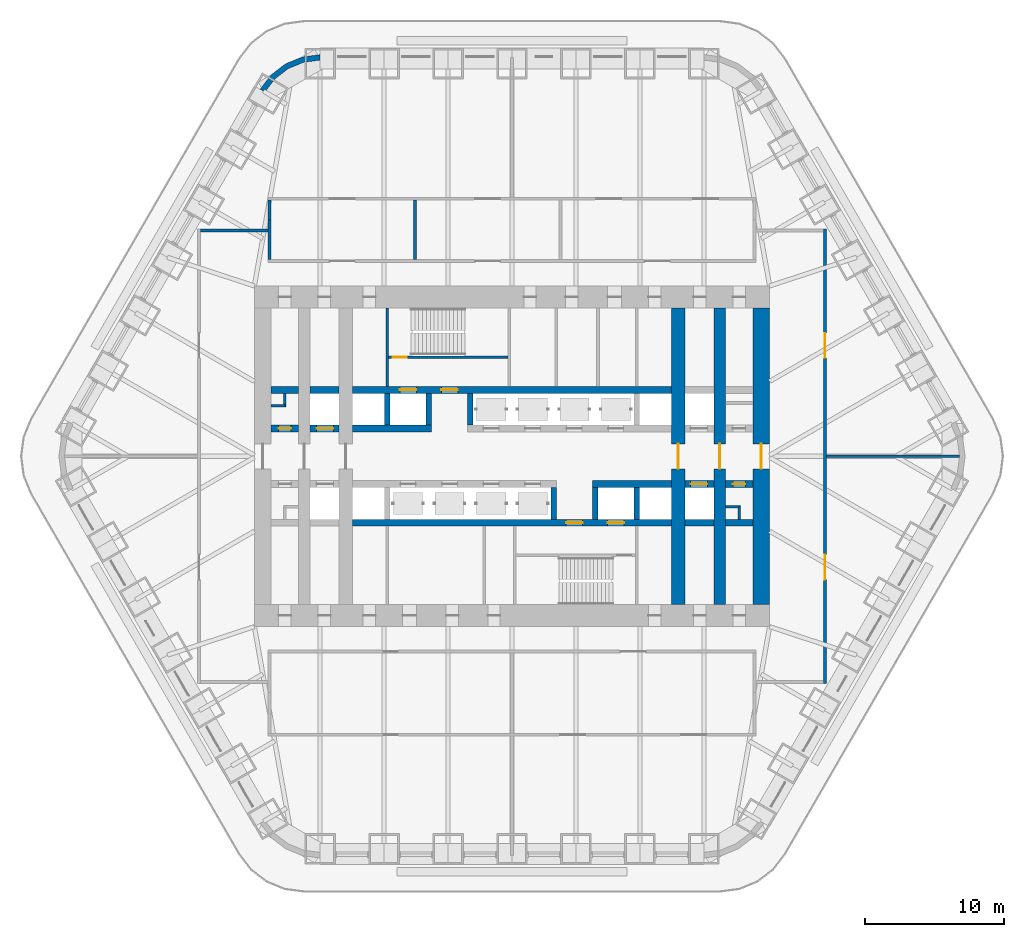
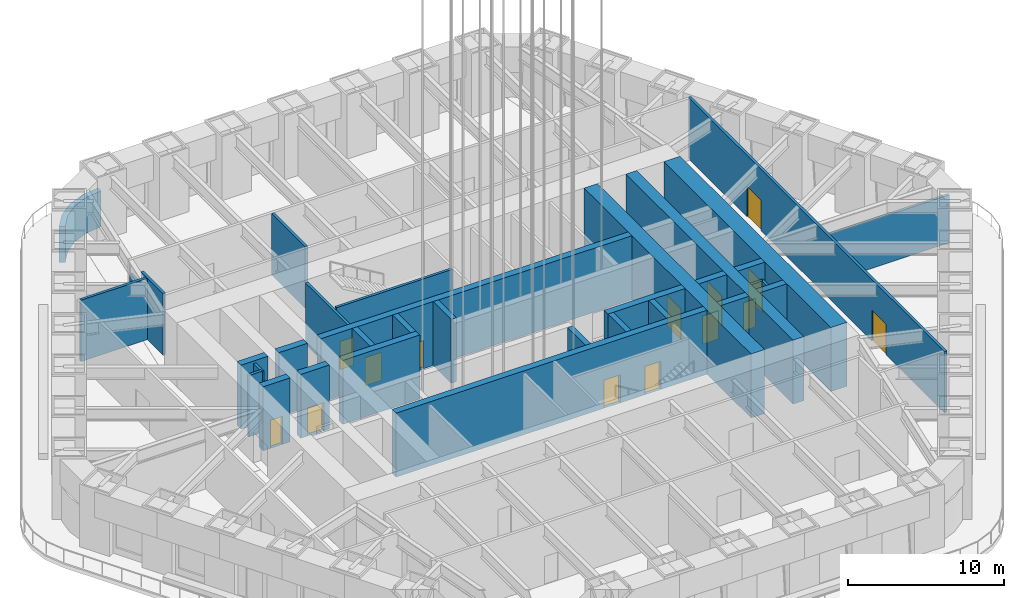
# One storey, part 9 of 15: 34 walls, 14 doors, 14 openings.
"""IFC4 building model written with IfcOpenShell, lengths in metres."""

from ifc_helpers import new_model, si_unit, direction, frame, frame_2d, origin, place, context, subcontext, project, spatial, polyline, rectangle, outline, extrude, material, layer, layer_set, type_object, element, fill, save


model = new_model("IFC4")

# Units and contexts
model_context = context("Model", 3, precision=1e-05, world=origin(), true_north=direction((0.0, 1.0)))
body_context = subcontext(model_context, "Body", "Model", "MODEL_VIEW")
ifc_project = project(units=[si_unit("LENGTHUNIT", "METRE"), si_unit("AREAUNIT", "SQUARE_METRE"), si_unit("VOLUMEUNIT", "CUBIC_METRE"), si_unit("PLANEANGLEUNIT", "RADIAN"), si_unit("MASSUNIT", "GRAM", prefix="KILO")], contexts=[model_context])

# Site, building, storey
site_placement = place(None, origin())
site = spatial("IfcSite", under=ifc_project, at=site_placement, CompositionType="ELEMENT")
building_placement = place(site_placement, origin())
building = spatial("IfcBuilding", under=site, at=building_placement, Name="Tarfa Lantern Tower", CompositionType="ELEMENT")
storey_placement = place(building_placement, frame((0.0, 0.0, 210.5)))
storey = spatial("IfcBuildingStorey", under=building, at=storey_placement, Name="L47", CompositionType="ELEMENT", Elevation=210.5)

# Walls
ifc_material_1 = material(Name="Limestone cladding on blockwork", Category="masonry")
ifc_layer_1 = layer(ifc_material_1, 0.39990234375)
ifc_layer_set_1 = layer_set([ifc_layer_1], Name="EW2 CURVED STONE CORNER 400")
wall_type_1 = type_object("IfcWallType", Name="EW2 CURVED STONE CORNER 400", PredefinedType="SOLIDWALL", material=ifc_layer_set_1)
wall_1_placement = place(storey_placement, origin())
element("IfcWall", 1, at=wall_1_placement, inside=storey, type_object=wall_type_1, Name="Stone corner N-NW", PredefinedType="SOLIDWALL", context=body_context, shape_type="SweptSolid", body=[
    extrude(outline(polyline([(-13.8564453125, 29.0), (-15.150390625, 28.82958984375), (-16.3564453125, 28.330078125), (-17.391845703125, 27.53564453125), (-18.1865234375, 26.5), (-17.840087890625, 26.300048828125), (-17.109130859375, 27.252685546875), (-16.156494140625, 27.983642578125), (-15.046875, 28.443359375), (-13.8564453125, 28.60009765625), (-13.8564453125, 29.0)])), origin(), (0.0, 0.0, 1.0), 2.800048828125),
])
ifc_material_2 = material(Name="Concrete blockwork", Category="masonry")
ifc_layer_2 = layer(ifc_material_2, 0.199951171875)
ifc_layer_set_2 = layer_set([ifc_layer_2], Name="IW1 BLOCKWORK PARTITION 200 EI 120")
wall_type_2 = type_object("IfcWallType", Name="IW1 BLOCKWORK PARTITION 200 EI 120", PredefinedType="PARTITIONING", material=ifc_layer_set_2)
wall_2_placement = place(storey_placement, frame((-9.0, 5.050048828125, 0.0), z_axis=(0.0, 0.0, 1.0), x_axis=(0.0, 1.0, 0.0)))
element("IfcWall", 2, at=wall_2_placement, inside=storey, type_object=wall_type_2, Name="Core partition", PredefinedType="PARTITIONING", context=body_context, shape_type="SweptSolid", body=[
    extrude(rectangle(XDim=5.64990234375, YDim=0.199951171875, at=frame_2d((2.824951171875, 0.0))), origin(), (0.0, 0.0, 1.0), 4.800048828125),
])
for number, where, z_axis, x_axis, name in (
    (3, (-17.39990234375, 3.64990234375, 0.0), (0.0, 0.0, 1.0), (1.0, 0.0, 0.0), "Core partition"),
    (4, (-16.39990234375, 3.550048828125, 0.0), (0.0, 0.0, 1.0), (0.0, 1.0, 0.0), "Core partition"),
    (5, (16.39990234375, -3.64990234375, 0.0), (0.0, 0.0, 1.0), (-1.0, 0.0, 0.0), "Core partition"),
    (6, (16.39990234375, -3.550048828125, 0.0), (0.0, 0.0, 1.0), (0.0, -1.0, 0.0), "Core partition"),
):
    element("IfcWall", number, at=place(storey_placement, frame(where, z_axis=z_axis, x_axis=x_axis)), inside=storey, type_object=wall_type_2, Name=name, PredefinedType="PARTITIONING", context=body_context, shape_type="SweptSolid", body=[
        extrude(rectangle(XDim=1.0, YDim=0.199951171875, at=frame_2d((0.5, 0.0))), origin(), (0.0, 0.0, 1.0), 4.800048828125),
    ])
ifc_material_3 = material(Name="Gypsum board on steel studs", Category="steel")
ifc_layer_3 = layer(ifc_material_3, 0.2099609375)
ifc_layer_set_3 = layer_set([ifc_layer_3], Name="IW2 ACOUSTIC PARTITION 200")
wall_type_3 = type_object("IfcWallType", Name="IW2 ACOUSTIC PARTITION 200", PredefinedType="PARTITIONING", material=ifc_layer_set_3)
wall_3_placement = place(storey_placement, frame((-17.5, 14.199951171875, 0.0), z_axis=(0.0, 0.0, 1.0), x_axis=(0.0, 1.0, 0.0)))
element("IfcWall", 7, at=wall_3_placement, inside=storey, type_object=wall_type_3, Name="Partition", PredefinedType="PARTITIONING", context=body_context, shape_type="SweptSolid", body=[
    extrude(rectangle(XDim=2.84423828125, YDim=0.199951171875, at=frame_2d((1.422119140625, 0.0))), origin(), (0.0, 0.0, 1.0), 4.800048828125),
])
wall_4_placement = place(storey_placement, frame((-17.5, 17.044189453125, 0.0), z_axis=(0.0, 0.0, 1.0), x_axis=(0.0, 1.0, 0.0)))
element("IfcWall", 8, at=wall_4_placement, inside=storey, type_object=wall_type_3, Name="Partition", PredefinedType="PARTITIONING", context=body_context, shape_type="SweptSolid", body=[
    extrude(rectangle(XDim=1.455810546875, YDim=0.199951171875, at=frame_2d((0.72802734375, 0.0))), origin(), (0.0, 0.0, 1.0), 3.743896484375),
])
wall_5_placement = place(storey_placement, frame((-7.0, 14.199951171875, 0.0), z_axis=(0.0, 0.0, 1.0), x_axis=(0.0, 1.0, 0.0)))
element("IfcWall", 9, at=wall_5_placement, inside=storey, type_object=wall_type_3, Name="Partition", PredefinedType="PARTITIONING", context=body_context, shape_type="SweptSolid", body=[
    extrude(rectangle(XDim=4.300048828125, YDim=0.199951171875, at=frame_2d((2.14990234375, 0.0))), origin(), (0.0, 0.0, 1.0), 4.800048828125),
])

# Wall, openings, doors
wall_6_placement = place(storey_placement, frame((22.60009765625, -16.39990234375, 0.0), z_axis=(0.0, 0.0, 1.0), x_axis=(0.0, 1.0, 0.0)))
wall_6 = element("IfcWall", 10, at=wall_6_placement, inside=storey, type_object=wall_type_3, Name="Partition", PredefinedType="PARTITIONING", context=body_context, shape_type="SweptSolid", body=[
    extrude(rectangle(XDim=32.7998046875, YDim=0.199951171875, at=frame_2d((16.39990234375, 0.0))), origin(), (0.0, 0.0, 1.0), 4.800048828125),
])
opening_1_placement = place(wall_6_placement, frame((23.5, 0.0, 0.0)))
opening_1 = element("IfcOpeningElement", 11, at=opening_1_placement, cuts=wall_6, Name="Opening D45", PredefinedType="OPENING", context=body_context, shape_type="SweptSolid", body=[
    extrude(rectangle(XDim=1.800048828125, YDim=2.39990234375, at=frame_2d((0.89990234375, 1.199951171875))), frame((0.0, 0.10986328125, 0.0), z_axis=(0.0, -1.0, 0.0), x_axis=(1.0, 0.0, 0.0)), (0.0, 0.0, 1.0), 0.219970703125),
])
opening_2_placement = place(wall_6_placement, frame((7.5, 0.0, 0.0)))
opening_2 = element("IfcOpeningElement", 12, at=opening_2_placement, cuts=wall_6, Name="Opening D47", PredefinedType="OPENING", context=body_context, shape_type="SweptSolid", body=[
    extrude(rectangle(XDim=1.800048828125, YDim=2.39990234375, at=frame_2d((0.89990234375, 1.199951171875))), frame((0.0, 0.10986328125, 0.0), z_axis=(0.0, -1.0, 0.0), x_axis=(1.0, 0.0, 0.0)), (0.0, 0.0, 1.0), 0.219970703125),
])
ifc_material_4 = material(Name="Timber door", Category="wood")
door_type_1 = type_object("IfcDoorType", Name="DR2 ROOM DOOR 1800x2400", OperationType="DOUBLE_DOOR_SINGLE_SWING", PredefinedType="DOOR", material=ifc_material_4)
door_1_placement = place(opening_1_placement, frame((1.800048828125, 0.0, 0.0), z_axis=(0.0, 0.0, 1.0), x_axis=(-1.0, 0.0, 0.0)))
door_1 = element("IfcDoor", 13, at=door_1_placement, inside=storey, type_object=door_type_1, Name="Client suite door", OperationType="DOUBLE_DOOR_SINGLE_SWING", OverallHeight=2.39990234375, OverallWidth=1.800048828125, PredefinedType="DOOR", context=body_context, shape_type="SweptSolid", body=[
    extrude(rectangle(XDim=1.800048828125, YDim=2.39990234375, at=frame_2d((0.89990234375, 1.199951171875))), frame((0.0, 0.02490234375, 0.0), z_axis=(0.0, -1.0, 0.0), x_axis=(1.0, 0.0, 0.0)), (0.0, 0.0, 1.0), 0.050048828125),
])
fill(opening_1, door_1)
door_2_placement = place(opening_2_placement, frame((1.800048828125, 0.0, 0.0), z_axis=(0.0, 0.0, 1.0), x_axis=(-1.0, 0.0, 0.0)))
door_2 = element("IfcDoor", 14, at=door_2_placement, inside=storey, type_object=door_type_1, Name="Visitor workplace door", OperationType="DOUBLE_DOOR_SINGLE_SWING", OverallHeight=2.39990234375, OverallWidth=1.800048828125, PredefinedType="DOOR", context=body_context, shape_type="SweptSolid", body=[
    extrude(rectangle(XDim=1.800048828125, YDim=2.39990234375, at=frame_2d((0.89990234375, 1.199951171875))), frame((0.0, 0.02490234375, 0.0), z_axis=(0.0, -1.0, 0.0), x_axis=(1.0, 0.0, 0.0)), (0.0, 0.0, 1.0), 0.050048828125),
])
fill(opening_2, door_2)

# Walls
wall_7_placement = place(storey_placement, frame((22.699951171875, 0.0, 0.0), z_axis=(0.0, 0.0, 1.0), x_axis=(1.0, 0.0, 0.0)))
element("IfcWall", 15, at=wall_7_placement, inside=storey, type_object=wall_type_3, Name="Partition", PredefinedType="PARTITIONING", context=body_context, shape_type="SweptSolid", body=[
    extrude(rectangle(XDim=9.599853515625, YDim=0.199951171875, at=frame_2d((4.7998046875, 0.0))), origin(), (0.0, 0.0, 1.0), 3.743896484375),
])
wall_8_placement = place(storey_placement, frame((-17.60009765625, 16.300048828125, 0.0), z_axis=(0.0, 0.0, 1.0), x_axis=(-1.0, 0.0, 0.0)))
element("IfcWall", 16, at=wall_8_placement, inside=storey, type_object=wall_type_3, Name="Partition", PredefinedType="PARTITIONING", context=body_context, shape_type="SweptSolid", body=[
    extrude(rectangle(XDim=4.89990234375, YDim=0.199951171875, at=frame_2d((2.449951171875, 0.0))), origin(), (0.0, 0.0, 1.0), 4.800048828125),
])

# Wall, opening, door
ifc_material_5 = material(Name="Concrete C80/95", Category="concrete")
ifc_layer_4 = layer(ifc_material_5, 1.199951171875)
ifc_layer_set_4 = layer_set([ifc_layer_4], Name="SW1 CORE WALL 1200")
wall_type_4 = type_object("IfcWallType", Name="SW1 CORE WALL 1200", PredefinedType="SHEAR", material=ifc_layer_set_4)
wall_9_placement = place(storey_placement, frame((18.0, -10.699951171875, 0.0), z_axis=(0.0, 0.0, 1.0), x_axis=(0.0, 1.0, 0.0)))
wall_9 = element("IfcWall", 17, at=wall_9_placement, inside=storey, type_object=wall_type_4, Name="Core wall E", PredefinedType="SHEAR", context=body_context, shape_type="SweptSolid", body=[
    extrude(rectangle(XDim=21.39990234375, YDim=1.199951171875, at=frame_2d((10.699951171875, 0.0))), origin(), (0.0, 0.0, 1.0), 5.0),
])
opening_3_placement = place(wall_9_placement, frame((9.800048828125, 0.0, 0.0)))
opening_3 = element("IfcOpeningElement", 18, at=opening_3_placement, cuts=wall_9, Name="Opening D15", PredefinedType="OPENING", context=body_context, shape_type="SweptSolid", body=[
    extrude(rectangle(XDim=1.800048828125, YDim=2.39990234375, at=frame_2d((0.89990234375, 1.199951171875))), frame((0.0, 0.60986328125, 0.0), z_axis=(0.0, -1.0, 0.0), x_axis=(1.0, 0.0, 0.0)), (0.0, 0.0, 1.0), 1.219970703125),
])
ifc_material_6 = material(Name="Steel fire door", Category="steel")
door_type_2 = type_object("IfcDoorType", Name="DL1 LOBBY DOOR 1800x2400", OperationType="DOUBLE_DOOR_SINGLE_SWING", PredefinedType="DOOR", material=ifc_material_6)
door_3_placement = place(opening_3_placement, origin())
door_3 = element("IfcDoor", 19, at=door_3_placement, inside=storey, type_object=door_type_2, Name="Lift lobby door", OperationType="DOUBLE_DOOR_SINGLE_SWING", OverallHeight=2.39990234375, OverallWidth=1.800048828125, PredefinedType="DOOR", context=body_context, shape_type="SweptSolid", body=[
    extrude(rectangle(XDim=1.800048828125, YDim=2.39990234375, at=frame_2d((0.89990234375, 1.199951171875))), frame((0.0, 0.02490234375, 0.0), z_axis=(0.0, -1.0, 0.0), x_axis=(1.0, 0.0, 0.0)), (0.0, 0.0, 1.0), 0.050048828125),
])
fill(opening_3, door_3)

ifc_layer_5 = layer(ifc_material_5, 0.800048828125)
ifc_layer_set_5 = layer_set([ifc_layer_5], Name="SW10 CORE WALL 800")
wall_type_5 = type_object("IfcWallType", Name="SW10 CORE WALL 800", PredefinedType="SHEAR", material=ifc_layer_set_5)
wall_10_placement = place(storey_placement, frame((15.0, -10.699951171875, 0.0), z_axis=(0.0, 0.0, 1.0), x_axis=(0.0, 1.0, 0.0)))
wall_10 = element("IfcWall", 20, at=wall_10_placement, inside=storey, type_object=wall_type_5, Name="Core wall cross 15 m east", PredefinedType="SHEAR", context=body_context, shape_type="SweptSolid", body=[
    extrude(rectangle(XDim=21.39990234375, YDim=0.800048828125, at=frame_2d((10.699951171875, 0.0))), origin(), (0.0, 0.0, 1.0), 5.0),
])
opening_4_placement = place(wall_10_placement, frame((9.800048828125, 0.0, 0.0)))
opening_4 = element("IfcOpeningElement", 21, at=opening_4_placement, cuts=wall_10, Name="Opening D30", PredefinedType="OPENING", context=body_context, shape_type="SweptSolid", body=[
    extrude(rectangle(XDim=1.800048828125, YDim=2.39990234375, at=frame_2d((0.89990234375, 1.199951171875))), frame((0.0, 0.409912109375, 0.0), z_axis=(0.0, -1.0, 0.0), x_axis=(1.0, 0.0, 0.0)), (0.0, 0.0, 1.0), 0.820068359375),
])
door_4_placement = place(opening_4_placement, origin())
door_4 = element("IfcDoor", 22, at=door_4_placement, inside=storey, type_object=door_type_2, Name="Lift lobby door", OperationType="DOUBLE_DOOR_SINGLE_SWING", OverallHeight=2.39990234375, OverallWidth=1.800048828125, PredefinedType="DOOR", context=body_context, shape_type="SweptSolid", body=[
    extrude(rectangle(XDim=1.800048828125, YDim=2.39990234375, at=frame_2d((0.89990234375, 1.199951171875))), frame((0.0, 0.02490234375, 0.0), z_axis=(0.0, -1.0, 0.0), x_axis=(1.0, 0.0, 0.0)), (0.0, 0.0, 1.0), 0.050048828125),
])
fill(opening_4, door_4)

ifc_layer_6 = layer(ifc_material_5, 0.199951171875)
ifc_layer_set_6 = layer_set([ifc_layer_6], Name="SW12 CORE WALL 200")
wall_type_6 = type_object("IfcWallType", Name="SW12 CORE WALL 200", PredefinedType="SHEAR", material=ifc_layer_set_6)
wall_11_placement = place(storey_placement, frame((-8.89990234375, 7.14990234375, 0.0), z_axis=(0.0, 0.0, 1.0), x_axis=(1.0, 0.0, 0.0)))
wall_11 = element("IfcWall", 23, at=wall_11_placement, inside=storey, type_object=wall_type_6, Name="Core wall stair partition N", PredefinedType="SHEAR", context=body_context, shape_type="SweptSolid", body=[
    extrude(rectangle(XDim=8.599853515625, YDim=0.199951171875, at=frame_2d((4.2998046875, 0.0))), origin(), (0.0, 0.0, 1.0), 5.0),
])
opening_5_placement = place(wall_11_placement, frame((0.300048828125, 0.0, 0.0)))
opening_5 = element("IfcOpeningElement", 24, at=opening_5_placement, cuts=wall_11, Name="Opening D27", PredefinedType="OPENING", context=body_context, shape_type="SweptSolid", body=[
    extrude(rectangle(XDim=1.0, YDim=2.199951171875, at=frame_2d((0.5, 1.10009765625))), frame((0.0, 0.10986328125, 0.0), z_axis=(0.0, -1.0, 0.0), x_axis=(1.0, 0.0, 0.0)), (0.0, 0.0, 1.0), 0.219970703125),
])
door_type_3 = type_object("IfcDoorType", Name="DF2 STAIR DOOR 1000x2200", OperationType="SINGLE_SWING_LEFT", PredefinedType="DOOR", material=ifc_material_6)
door_5_placement = place(opening_5_placement, origin())
door_5 = element("IfcDoor", 25, at=door_5_placement, inside=storey, type_object=door_type_3, Name="Stair door", OperationType="SINGLE_SWING_RIGHT", OverallHeight=2.199951171875, OverallWidth=1.0, PredefinedType="DOOR", context=body_context, shape_type="SweptSolid", body=[
    extrude(rectangle(XDim=1.0, YDim=2.199951171875, at=frame_2d((0.5, 1.10009765625))), frame((0.0, 0.02490234375, 0.0), z_axis=(0.0, -1.0, 0.0), x_axis=(1.0, 0.0, 0.0)), (0.0, 0.0, 1.0), 0.050048828125),
])
fill(opening_5, door_5)

ifc_layer_7 = layer(ifc_material_5, 1.0)
ifc_layer_set_7 = layer_set([ifc_layer_7], Name="SW2 CORE WALL 1000")
wall_type_7 = type_object("IfcWallType", Name="SW2 CORE WALL 1000", PredefinedType="SHEAR", material=ifc_layer_set_7)
wall_12_placement = place(storey_placement, frame((12.0, -10.699951171875, 0.0), z_axis=(0.0, 0.0, 1.0), x_axis=(0.0, 1.0, 0.0)))
wall_12 = element("IfcWall", 26, at=wall_12_placement, inside=storey, type_object=wall_type_7, Name="Core wall cross 12 m east", PredefinedType="SHEAR", context=body_context, shape_type="SweptSolid", body=[
    extrude(rectangle(XDim=21.39990234375, YDim=1.0, at=frame_2d((10.699951171875, 0.0))), origin(), (0.0, 0.0, 1.0), 5.0),
])
opening_6_placement = place(wall_12_placement, frame((9.800048828125, 0.0, 0.0)))
opening_6 = element("IfcOpeningElement", 27, at=opening_6_placement, cuts=wall_12, Name="Opening D29", PredefinedType="OPENING", context=body_context, shape_type="SweptSolid", body=[
    extrude(rectangle(XDim=1.800048828125, YDim=2.39990234375, at=frame_2d((0.89990234375, 1.199951171875))), frame((0.0, 0.510009765625, 0.0), z_axis=(0.0, -1.0, 0.0), x_axis=(1.0, 0.0, 0.0)), (0.0, 0.0, 1.0), 1.02001953125),
])
door_6_placement = place(opening_6_placement, origin())
door_6 = element("IfcDoor", 28, at=door_6_placement, inside=storey, type_object=door_type_2, Name="Lift lobby door", OperationType="DOUBLE_DOOR_SINGLE_SWING", OverallHeight=2.39990234375, OverallWidth=1.800048828125, PredefinedType="DOOR", context=body_context, shape_type="SweptSolid", body=[
    extrude(rectangle(XDim=1.800048828125, YDim=2.39990234375, at=frame_2d((0.89990234375, 1.199951171875))), frame((0.0, 0.02490234375, 0.0), z_axis=(0.0, -1.0, 0.0), x_axis=(1.0, 0.0, 0.0)), (0.0, 0.0, 1.0), 0.050048828125),
])
fill(opening_6, door_6)

ifc_layer_8 = layer(ifc_material_5, 0.5)
ifc_layer_set_8 = layer_set([ifc_layer_8], Name="SW5 CORE WALL 500")
wall_type_8 = type_object("IfcWallType", Name="SW5 CORE WALL 500", PredefinedType="SHEAR", material=ifc_layer_set_8)
wall_13_placement = place(storey_placement, frame((-17.39990234375, 2.0, 0.0), z_axis=(0.0, 0.0, 1.0), x_axis=(1.0, 0.0, 0.0)))
wall_13 = element("IfcWall", 29, at=wall_13_placement, inside=storey, type_object=wall_type_8, Name="Core wall lobby west N", PredefinedType="SHEAR", context=body_context, shape_type="SweptSolid", body=[
    extrude(rectangle(XDim=2.0, YDim=0.5, at=frame_2d((1.0, 0.0))), origin(), (0.0, 0.0, 1.0), 5.0),
])
opening_7_placement = place(wall_13_placement, frame((0.550048828125, 0.0, 0.0)))
opening_7 = element("IfcOpeningElement", 30, at=opening_7_placement, cuts=wall_13, Name="Opening D19", PredefinedType="OPENING", context=body_context, shape_type="SweptSolid", body=[
    extrude(rectangle(XDim=0.89990234375, YDim=2.199951171875, at=frame_2d((0.449951171875, 1.10009765625))), frame((0.0, 0.260009765625, 0.0), z_axis=(0.0, -1.0, 0.0), x_axis=(1.0, 0.0, 0.0)), (0.0, 0.0, 1.0), 0.52001953125),
])
door_type_4 = type_object("IfcDoorType", Name="DF6 SERVICE ROOM DOOR 900x2200", OperationType="SINGLE_SWING_LEFT", PredefinedType="DOOR", material=ifc_material_6)
door_7_placement = place(opening_7_placement, origin())
door_7 = element("IfcDoor", 31, at=door_7_placement, inside=storey, type_object=door_type_4, Name="Service room door", OperationType="SINGLE_SWING_LEFT", OverallHeight=2.199951171875, OverallWidth=0.89990234375, PredefinedType="DOOR", context=body_context, shape_type="SweptSolid", body=[
    extrude(rectangle(XDim=0.89990234375, YDim=2.199951171875, at=frame_2d((0.449951171875, 1.10009765625))), frame((0.0, 0.02490234375, 0.0), z_axis=(0.0, -1.0, 0.0), x_axis=(1.0, 0.0, 0.0)), (0.0, 0.0, 1.0), 0.050048828125),
])
fill(opening_7, door_7)

wall_14_placement = place(storey_placement, frame((-14.60009765625, 2.0, 0.0), z_axis=(0.0, 0.0, 1.0), x_axis=(1.0, 0.0, 0.0)))
wall_14 = element("IfcWall", 32, at=wall_14_placement, inside=storey, type_object=wall_type_8, Name="Core wall lobby west N", PredefinedType="SHEAR", context=body_context, shape_type="SweptSolid", body=[
    extrude(rectangle(XDim=2.10009765625, YDim=0.5, at=frame_2d((1.050048828125, 0.0))), origin(), (0.0, 0.0, 1.0), 5.0),
])
opening_8_placement = place(wall_14_placement, frame((0.5, 0.0, 0.0)))
opening_8 = element("IfcOpeningElement", 33, at=opening_8_placement, cuts=wall_14, Name="Opening LD11", PredefinedType="OPENING", context=body_context, shape_type="SweptSolid", body=[
    extrude(rectangle(XDim=1.199951171875, YDim=2.199951171875, at=frame_2d((0.60009765625, 1.10009765625))), frame((0.0, 0.260009765625, 0.0), z_axis=(0.0, -1.0, 0.0), x_axis=(1.0, 0.0, 0.0)), (0.0, 0.0, 1.0), 0.52001953125),
])
ifc_material_7 = material(Name="Stainless steel lift door", Category="steel")
door_type_5 = type_object("IfcDoorType", Name="LD1 LIFT LANDING DOOR 1200x2200", OperationType="SLIDING_TO_LEFT", PredefinedType="DOOR", material=ifc_material_7)
door_8_placement = place(opening_8_placement, frame((1.199951171875, 0.0, 0.0), z_axis=(0.0, 0.0, 1.0), x_axis=(-1.0, 0.0, 0.0)))
door_8 = element("IfcDoor", 34, at=door_8_placement, inside=storey, type_object=door_type_5, Name="Landing door S5", OperationType="SLIDING_TO_LEFT", OverallHeight=2.199951171875, OverallWidth=1.199951171875, PredefinedType="DOOR", context=body_context, shape_type="SweptSolid", body=[
    extrude(rectangle(XDim=1.199951171875, YDim=2.199951171875, at=frame_2d((0.60009765625, 1.10009765625))), frame((0.0, 0.02490234375, 0.0), z_axis=(0.0, -1.0, 0.0), x_axis=(1.0, 0.0, 0.0)), (0.0, 0.0, 1.0), 0.050048828125),
])
fill(opening_8, door_8)

# Walls
wall_15_placement = place(storey_placement, frame((-11.5, 2.0, 0.0), z_axis=(0.0, 0.0, 1.0), x_axis=(1.0, 0.0, 0.0)))
element("IfcWall", 35, at=wall_15_placement, inside=storey, type_object=wall_type_8, Name="Core wall lobby west N", PredefinedType="SHEAR", context=body_context, shape_type="SweptSolid", body=[
    extrude(rectangle(XDim=5.699951171875, YDim=0.5, at=frame_2d((2.85009765625, 0.0))), origin(), (0.0, 0.0, 1.0), 5.0),
])
wall_16_placement = place(storey_placement, frame((-17.39990234375, 4.800048828125, 0.0), z_axis=(0.0, 0.0, 1.0), x_axis=(1.0, 0.0, 0.0)))
element("IfcWall", 36, at=wall_16_placement, inside=storey, type_object=wall_type_8, Name="Core wall rear N", PredefinedType="SHEAR", context=body_context, shape_type="SweptSolid", body=[
    extrude(rectangle(XDim=2.0, YDim=0.5, at=frame_2d((1.0, 0.0))), origin(), (0.0, 0.0, 1.0), 5.0),
])
wall_17_placement = place(storey_placement, frame((-14.60009765625, 4.800048828125, 0.0), z_axis=(0.0, 0.0, 1.0), x_axis=(1.0, 0.0, 0.0)))
element("IfcWall", 37, at=wall_17_placement, inside=storey, type_object=wall_type_8, Name="Core wall rear N", PredefinedType="SHEAR", context=body_context, shape_type="SweptSolid", body=[
    extrude(rectangle(XDim=2.10009765625, YDim=0.5, at=frame_2d((1.050048828125, 0.0))), origin(), (0.0, 0.0, 1.0), 5.0),
])

# Wall, openings, doors
wall_18_placement = place(storey_placement, frame((-11.5, 4.800048828125, 0.0), z_axis=(0.0, 0.0, 1.0), x_axis=(1.0, 0.0, 0.0)))
wall_18 = element("IfcWall", 38, at=wall_18_placement, inside=storey, type_object=wall_type_8, Name="Core wall rear N", PredefinedType="SHEAR", context=body_context, shape_type="SweptSolid", body=[
    extrude(rectangle(XDim=23.0, YDim=0.5, at=frame_2d((11.5, 0.0))), origin(), (0.0, 0.0, 1.0), 5.0),
])
opening_9_placement = place(wall_18_placement, frame((6.39990234375, 0.0, 0.0)))
opening_9 = element("IfcOpeningElement", 39, at=opening_9_placement, cuts=wall_18, Name="Opening D13", PredefinedType="OPENING", context=body_context, shape_type="SweptSolid", body=[
    extrude(rectangle(XDim=1.199951171875, YDim=2.199951171875, at=frame_2d((0.60009765625, 1.10009765625))), frame((0.0, 0.260009765625, 0.0), z_axis=(0.0, -1.0, 0.0), x_axis=(1.0, 0.0, 0.0)), (0.0, 0.0, 1.0), 0.52001953125),
])
opening_10_placement = place(wall_18_placement, frame((3.39990234375, 0.0, 0.0)))
opening_10 = element("IfcOpeningElement", 40, at=opening_10_placement, cuts=wall_18, Name="Opening LD01", PredefinedType="OPENING", context=body_context, shape_type="SweptSolid", body=[
    extrude(rectangle(XDim=1.199951171875, YDim=2.199951171875, at=frame_2d((0.60009765625, 1.10009765625))), frame((0.0, 0.260009765625, 0.0), z_axis=(0.0, -1.0, 0.0), x_axis=(1.0, 0.0, 0.0)), (0.0, 0.0, 1.0), 0.52001953125),
])
door_type_6 = type_object("IfcDoorType", Name="DF1 FIREFIGHTING LOBBY DOOR 1200x2200", OperationType="SINGLE_SWING_LEFT", PredefinedType="DOOR", material=ifc_material_6)
door_9_placement = place(opening_9_placement, origin())
door_9 = element("IfcDoor", 41, at=door_9_placement, inside=storey, type_object=door_type_6, Name="Firefighting lobby door", OperationType="SINGLE_SWING_LEFT", OverallHeight=2.199951171875, OverallWidth=1.199951171875, PredefinedType="DOOR", context=body_context, shape_type="SweptSolid", body=[
    extrude(rectangle(XDim=1.199951171875, YDim=2.199951171875, at=frame_2d((0.60009765625, 1.10009765625))), frame((0.0, 0.02490234375, 0.0), z_axis=(0.0, -1.0, 0.0), x_axis=(1.0, 0.0, 0.0)), (0.0, 0.0, 1.0), 0.050048828125),
])
fill(opening_9, door_9)
door_10_placement = place(opening_10_placement, origin())
door_10 = element("IfcDoor", 42, at=door_10_placement, inside=storey, type_object=door_type_5, Name="Landing door FL1", OperationType="SLIDING_TO_LEFT", OverallHeight=2.199951171875, OverallWidth=1.199951171875, PredefinedType="DOOR", context=body_context, shape_type="SweptSolid", body=[
    extrude(rectangle(XDim=1.199951171875, YDim=2.199951171875, at=frame_2d((0.60009765625, 1.10009765625))), frame((0.0, 0.02490234375, 0.0), z_axis=(0.0, -1.0, 0.0), x_axis=(1.0, 0.0, 0.0)), (0.0, 0.0, 1.0), 0.050048828125),
])
fill(opening_10, door_10)

# Wall, opening, door
wall_19_placement = place(storey_placement, frame((17.39990234375, -2.0, 0.0), z_axis=(0.0, 0.0, 1.0), x_axis=(-1.0, 0.0, 0.0)))
wall_19 = element("IfcWall", 43, at=wall_19_placement, inside=storey, type_object=wall_type_8, Name="Core wall lobby west S", PredefinedType="SHEAR", context=body_context, shape_type="SweptSolid", body=[
    extrude(rectangle(XDim=2.0, YDim=0.5, at=frame_2d((1.0, 0.0))), origin(), (0.0, 0.0, 1.0), 5.0),
])
opening_11_placement = place(wall_19_placement, frame((0.550048828125, 0.0, 0.0)))
opening_11 = element("IfcOpeningElement", 44, at=opening_11_placement, cuts=wall_19, Name="Opening D20", PredefinedType="OPENING", context=body_context, shape_type="SweptSolid", body=[
    extrude(rectangle(XDim=0.89990234375, YDim=2.199951171875, at=frame_2d((0.449951171875, 1.10009765625))), frame((0.0, 0.260009765625, 0.0), z_axis=(0.0, -1.0, 0.0), x_axis=(1.0, 0.0, 0.0)), (0.0, 0.0, 1.0), 0.52001953125),
])
door_11_placement = place(opening_11_placement, origin())
door_11 = element("IfcDoor", 45, at=door_11_placement, inside=storey, type_object=door_type_4, Name="Service room door", OperationType="SINGLE_SWING_LEFT", OverallHeight=2.199951171875, OverallWidth=0.89990234375, PredefinedType="DOOR", context=body_context, shape_type="SweptSolid", body=[
    extrude(rectangle(XDim=0.89990234375, YDim=2.199951171875, at=frame_2d((0.449951171875, 1.10009765625))), frame((0.0, 0.02490234375, 0.0), z_axis=(0.0, -1.0, 0.0), x_axis=(1.0, 0.0, 0.0)), (0.0, 0.0, 1.0), 0.050048828125),
])
fill(opening_11, door_11)

wall_20_placement = place(storey_placement, frame((14.60009765625, -2.0, 0.0), z_axis=(0.0, 0.0, 1.0), x_axis=(-1.0, 0.0, 0.0)))
wall_20 = element("IfcWall", 46, at=wall_20_placement, inside=storey, type_object=wall_type_8, Name="Core wall lobby west S", PredefinedType="SHEAR", context=body_context, shape_type="SweptSolid", body=[
    extrude(rectangle(XDim=2.10009765625, YDim=0.5, at=frame_2d((1.050048828125, 0.0))), origin(), (0.0, 0.0, 1.0), 5.0),
])
opening_12_placement = place(wall_20_placement, frame((0.5, 0.0, 0.0)))
opening_12 = element("IfcOpeningElement", 47, at=opening_12_placement, cuts=wall_20, Name="Opening LD13", PredefinedType="OPENING", context=body_context, shape_type="SweptSolid", body=[
    extrude(rectangle(XDim=1.199951171875, YDim=2.199951171875, at=frame_2d((0.60009765625, 1.10009765625))), frame((0.0, 0.260009765625, 0.0), z_axis=(0.0, -1.0, 0.0), x_axis=(1.0, 0.0, 0.0)), (0.0, 0.0, 1.0), 0.52001953125),
])
door_12_placement = place(opening_12_placement, frame((1.199951171875, 0.0, 0.0), z_axis=(0.0, 0.0, 1.0), x_axis=(-1.0, 0.0, 0.0)))
door_12 = element("IfcDoor", 48, at=door_12_placement, inside=storey, type_object=door_type_5, Name="Landing door S7", OperationType="SLIDING_TO_LEFT", OverallHeight=2.199951171875, OverallWidth=1.199951171875, PredefinedType="DOOR", context=body_context, shape_type="SweptSolid", body=[
    extrude(rectangle(XDim=1.199951171875, YDim=2.199951171875, at=frame_2d((0.60009765625, 1.10009765625))), frame((0.0, 0.02490234375, 0.0), z_axis=(0.0, -1.0, 0.0), x_axis=(1.0, 0.0, 0.0)), (0.0, 0.0, 1.0), 0.050048828125),
])
fill(opening_12, door_12)

# Walls
wall_21_placement = place(storey_placement, frame((11.5, -2.0, 0.0), z_axis=(0.0, 0.0, 1.0), x_axis=(-1.0, 0.0, 0.0)))
element("IfcWall", 49, at=wall_21_placement, inside=storey, type_object=wall_type_8, Name="Core wall lobby west S", PredefinedType="SHEAR", context=body_context, shape_type="SweptSolid", body=[
    extrude(rectangle(XDim=5.699951171875, YDim=0.5, at=frame_2d((2.85009765625, 0.0))), origin(), (0.0, 0.0, 1.0), 5.0),
])
wall_22_placement = place(storey_placement, frame((17.39990234375, -4.800048828125, 0.0), z_axis=(0.0, 0.0, 1.0), x_axis=(-1.0, 0.0, 0.0)))
element("IfcWall", 50, at=wall_22_placement, inside=storey, type_object=wall_type_8, Name="Core wall rear S", PredefinedType="SHEAR", context=body_context, shape_type="SweptSolid", body=[
    extrude(rectangle(XDim=2.0, YDim=0.5, at=frame_2d((1.0, 0.0))), origin(), (0.0, 0.0, 1.0), 5.0),
])
wall_23_placement = place(storey_placement, frame((14.60009765625, -4.800048828125, 0.0), z_axis=(0.0, 0.0, 1.0), x_axis=(-1.0, 0.0, 0.0)))
element("IfcWall", 51, at=wall_23_placement, inside=storey, type_object=wall_type_8, Name="Core wall rear S", PredefinedType="SHEAR", context=body_context, shape_type="SweptSolid", body=[
    extrude(rectangle(XDim=2.10009765625, YDim=0.5, at=frame_2d((1.050048828125, 0.0))), origin(), (0.0, 0.0, 1.0), 5.0),
])

# Wall, openings, doors
wall_24_placement = place(storey_placement, frame((11.5, -4.800048828125, 0.0), z_axis=(0.0, 0.0, 1.0), x_axis=(-1.0, 0.0, 0.0)))
wall_24 = element("IfcWall", 52, at=wall_24_placement, inside=storey, type_object=wall_type_8, Name="Core wall rear S", PredefinedType="SHEAR", context=body_context, shape_type="SweptSolid", body=[
    extrude(rectangle(XDim=23.0, YDim=0.5, at=frame_2d((11.5, 0.0))), origin(), (0.0, 0.0, 1.0), 5.0),
])
opening_13_placement = place(wall_24_placement, frame((6.39990234375, 0.0, 0.0)))
opening_13 = element("IfcOpeningElement", 53, at=opening_13_placement, cuts=wall_24, Name="Opening D14", PredefinedType="OPENING", context=body_context, shape_type="SweptSolid", body=[
    extrude(rectangle(XDim=1.199951171875, YDim=2.199951171875, at=frame_2d((0.60009765625, 1.10009765625))), frame((0.0, 0.260009765625, 0.0), z_axis=(0.0, -1.0, 0.0), x_axis=(1.0, 0.0, 0.0)), (0.0, 0.0, 1.0), 0.52001953125),
])
opening_14_placement = place(wall_24_placement, frame((3.39990234375, 0.0, 0.0)))
opening_14 = element("IfcOpeningElement", 54, at=opening_14_placement, cuts=wall_24, Name="Opening LD02", PredefinedType="OPENING", context=body_context, shape_type="SweptSolid", body=[
    extrude(rectangle(XDim=1.199951171875, YDim=2.199951171875, at=frame_2d((0.60009765625, 1.10009765625))), frame((0.0, 0.260009765625, 0.0), z_axis=(0.0, -1.0, 0.0), x_axis=(1.0, 0.0, 0.0)), (0.0, 0.0, 1.0), 0.52001953125),
])
door_13_placement = place(opening_13_placement, origin())
door_13 = element("IfcDoor", 55, at=door_13_placement, inside=storey, type_object=door_type_6, Name="Firefighting lobby door", OperationType="SINGLE_SWING_LEFT", OverallHeight=2.199951171875, OverallWidth=1.199951171875, PredefinedType="DOOR", context=body_context, shape_type="SweptSolid", body=[
    extrude(rectangle(XDim=1.199951171875, YDim=2.199951171875, at=frame_2d((0.60009765625, 1.10009765625))), frame((0.0, 0.02490234375, 0.0), z_axis=(0.0, -1.0, 0.0), x_axis=(1.0, 0.0, 0.0)), (0.0, 0.0, 1.0), 0.050048828125),
])
fill(opening_13, door_13)
door_14_placement = place(opening_14_placement, origin())
door_14 = element("IfcDoor", 56, at=door_14_placement, inside=storey, type_object=door_type_5, Name="Landing door FL2", OperationType="SLIDING_TO_LEFT", OverallHeight=2.199951171875, OverallWidth=1.199951171875, PredefinedType="DOOR", context=body_context, shape_type="SweptSolid", body=[
    extrude(rectangle(XDim=1.199951171875, YDim=2.199951171875, at=frame_2d((0.60009765625, 1.10009765625))), frame((0.0, 0.02490234375, 0.0), z_axis=(0.0, -1.0, 0.0), x_axis=(1.0, 0.0, 0.0)), (0.0, 0.0, 1.0), 0.050048828125),
])
fill(opening_14, door_14)

# Walls
ifc_layer_9 = layer(ifc_material_5, 0.39990234375)
ifc_layer_set_9 = layer_set([ifc_layer_9], Name="SW6 CORE WALL 400")
wall_type_9 = type_object("IfcWallType", Name="SW6 CORE WALL 400", PredefinedType="SHEAR", material=ifc_layer_set_9)
for number, where, z_axis, x_axis, name in (
    (57, (-9.0, 2.25, 0.0), (0.0, 0.0, 1.0), (0.0, 1.0, 0.0), "Core wall divider N"),
    (58, (-6.0, 2.25, 0.0), (0.0, 0.0, 1.0), (0.0, 1.0, 0.0), "Core wall divider N"),
    (59, (-3.0, 2.25, 0.0), (0.0, 0.0, 1.0), (0.0, 1.0, 0.0), "Core wall divider N"),
    (60, (9.0, -2.25, 0.0), (0.0, 0.0, 1.0), (0.0, -1.0, 0.0), "Core wall divider S"),
    (61, (6.0, -2.25, 0.0), (0.0, 0.0, 1.0), (0.0, -1.0, 0.0), "Core wall divider S"),
    (62, (3.0, -2.25, 0.0), (0.0, 0.0, 1.0), (0.0, -1.0, 0.0), "Core wall divider S"),
):
    element("IfcWall", number, at=place(storey_placement, frame(where, z_axis=z_axis, x_axis=x_axis)), inside=storey, type_object=wall_type_9, Name=name, PredefinedType="SHEAR", context=body_context, shape_type="SweptSolid", body=[
        extrude(rectangle(XDim=2.300048828125, YDim=0.39990234375, at=frame_2d((1.14990234375, 0.0))), origin(), (0.0, 0.0, 1.0), 5.0),
    ])

save(model, "model.ifc")
